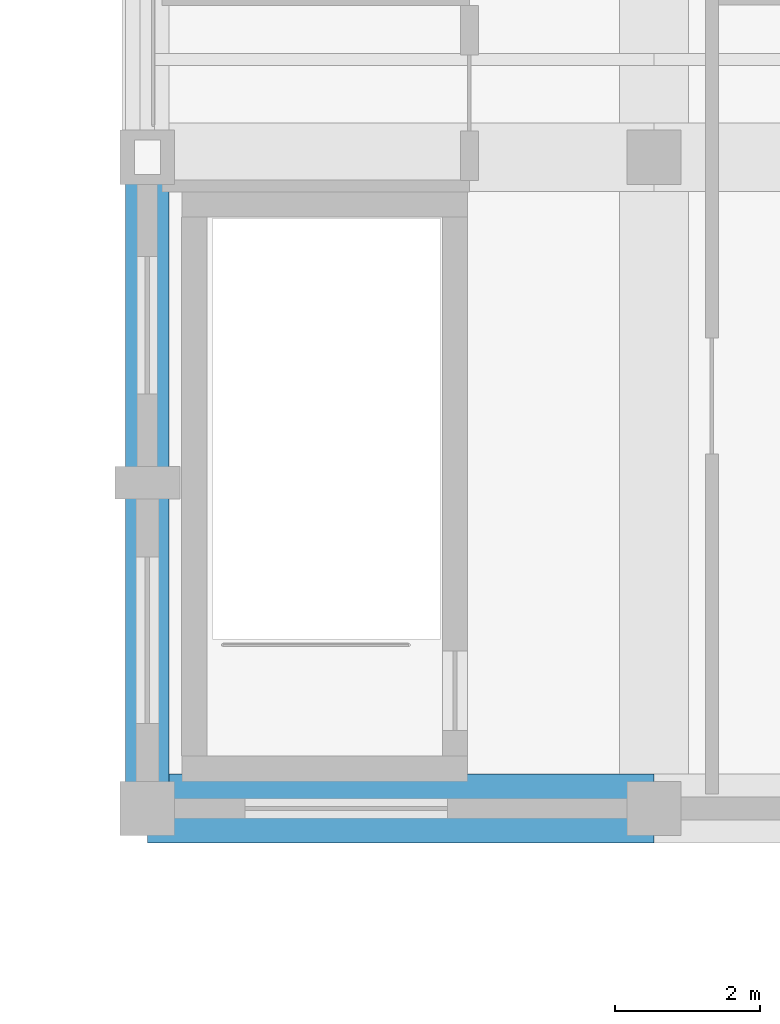
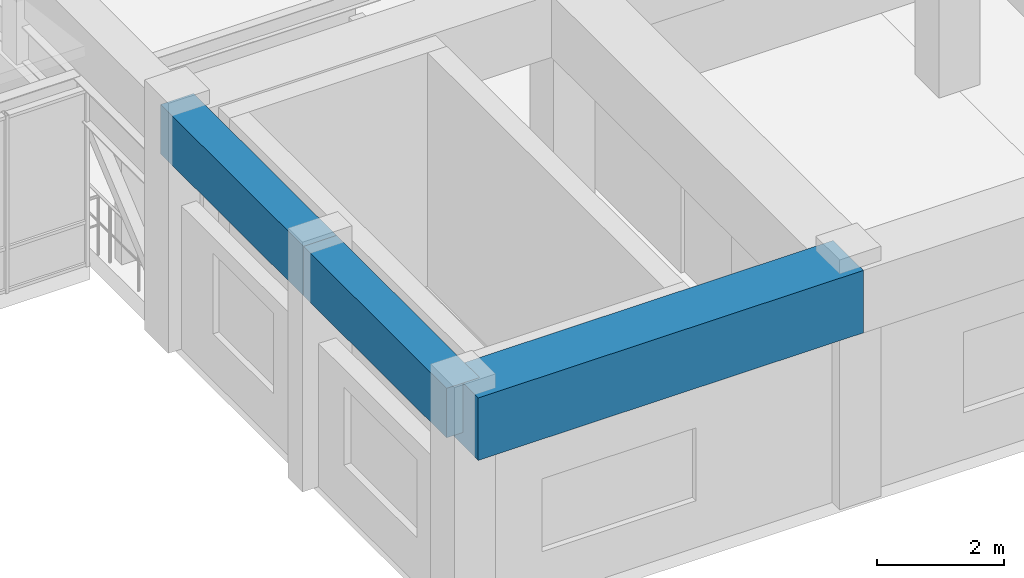
# One storey, part 41 of 99: 3 beams.
"""IFC4 building model written with IfcOpenShell, lengths in metres."""

import ifcopenshell
import ifcopenshell.guid

model = None  # the IFC model being written
_history = None  # IfcOwnerHistory: only IFC2X3 demands one
_inside = {}  # id of a spatial element -> (the spatial element, [elements in it])
_under = {}  # id of a project, library or spatial element -> (it, [spatial elements below it])
_declared = {}  # id of a project -> (the project, [libraries it declares])
_typed = {}  # id of a type object -> (the type object, [elements of that type])
_made_of = {}  # id of a material, layer set ... -> (it, [elements and type objects made of it])


def new_model(schema):
    """Start an empty IFC model of exactly this schema.

    Asked for "IFC4X3", IfcOpenShell would pick the latest addendum, in which some entities
    have other attributes; the version numbers below select the first issue.
    IFC2X3 requires an IfcOwnerHistory on every rooted entity: one is made here for all.
    """
    global model, _history
    if schema == "IFC4X3":
        model = ifcopenshell.file(schema_version=(4, 3, 0, 0))
    else:
        model = ifcopenshell.file(schema=schema)
    _inside.clear()
    _under.clear()
    _declared.clear()
    _typed.clear()
    _made_of.clear()
    _history = None
    if model.schema == "IFC2X3":
        org = make("IfcOrganization", Name="unknown")
        user = make(
            "IfcPersonAndOrganization",
            ThePerson=make("IfcPerson", FamilyName="unknown"),
            TheOrganization=org,
        )
        app = make(
            "IfcApplication",
            ApplicationDeveloper=org,
            Version="unknown",
            ApplicationFullName="unknown",
            ApplicationIdentifier="unknown",
        )
        _history = make(
            "IfcOwnerHistory",
            OwningUser=user,
            OwningApplication=app,
            ChangeAction="ADDED",
            CreationDate=0,
        )
    return model


def make(cls, **values):
    """One entity of the class cls with the attributes given. An attribute that is None is left unset."""
    return model.create_entity(
        cls, **{name: value for name, value in values.items() if value is not None}
    )


def rooted(cls, **values):
    """An entity with a GlobalId (a new one), such as an element, a storey or a relation."""
    return make(cls, GlobalId=ifcopenshell.guid.new(), OwnerHistory=_history, **values)


def si_unit(unit_type, name, prefix=None):
    """IfcSIUnit, for example si_unit("LENGTHUNIT", "METRE", prefix="MILLI")."""
    return make("IfcSIUnit", UnitType=unit_type, Prefix=prefix, Name=name)


def assignment(units):
    """IfcUnitAssignment: the units of a project."""
    return None if units is None else make("IfcUnitAssignment", Units=units)


def point(xyz):
    """IfcCartesianPoint."""
    return None if xyz is None else make("IfcCartesianPoint", Coordinates=xyz)


def direction(xyz):
    """IfcDirection."""
    return None if xyz is None else make("IfcDirection", DirectionRatios=xyz)


def frame(location, z_axis=None, x_axis=None):
    """IfcAxis2Placement3D, a coordinate frame: its origin and axes. An axis left out is left unset."""
    return make(
        "IfcAxis2Placement3D",
        Location=point(location),
        Axis=direction(z_axis),
        RefDirection=direction(x_axis),
    )


def frame_2d(location, x_axis=None):
    """IfcAxis2Placement2D, a coordinate frame in the plane: its origin and x axis."""
    return make(
        "IfcAxis2Placement2D", Location=point(location), RefDirection=direction(x_axis)
    )


def origin():
    """The frame at (0, 0, 0) with its axes left unset."""
    return frame((0.0, 0.0, 0.0))


def origin_2d():
    """The frame at (0, 0) in the plane with its x axis left unset."""
    return frame_2d((0.0, 0.0))


def place(relative_to, where):
    """IfcLocalPlacement: puts the frame where relative to a parent placement (None: the world)."""
    return make(
        "IfcLocalPlacement", PlacementRelTo=relative_to, RelativePlacement=where
    )


def context(
    kind, dimensions, precision=None, world=None, true_north=None, identifier=None
):
    """IfcGeometricRepresentationContext, for example the 3D "Model" context."""
    return make(
        "IfcGeometricRepresentationContext",
        ContextIdentifier=identifier,
        ContextType=kind,
        CoordinateSpaceDimension=dimensions,
        Precision=precision,
        WorldCoordinateSystem=world,
        TrueNorth=true_north,
    )


def subcontext(parent, identifier, kind, view, scale=None):
    """IfcGeometricRepresentationSubContext, for example "Body" below "Model"."""
    return make(
        "IfcGeometricRepresentationSubContext",
        ContextIdentifier=identifier,
        ContextType=kind,
        ParentContext=parent,
        TargetScale=scale,
        TargetView=view,
    )


def project(units=None, contexts=None):
    """IfcProject with its units and contexts."""
    return rooted(
        "IfcProject",
        Name="project",
        RepresentationContexts=contexts,
        UnitsInContext=assignment(units),
    )


def spatial(cls, under=None, at=None, **own):
    """A site, building, storey or space (cls), placed at a placement, below another one or the project."""
    s = rooted(cls, ObjectPlacement=at, **own)
    if under is not None:
        _under.setdefault(under.id(), (under, []))[1].append(s)
    return s


def profile(cls, at=None, kind="AREA", **sizes):
    """A parametric profile (cls). Its sizes go by their IFC names, for example OverallWidth=200.0."""
    return make(cls, ProfileType=kind, Position=at, **sizes)


def rectangle(**sizes):
    """IfcRectangleProfileDef."""
    return profile("IfcRectangleProfileDef", **sizes)


def extrude(swept, where, along, depth):
    """IfcExtrudedAreaSolid: the profile swept, set in the frame where, extruded along a direction by depth."""
    return make(
        "IfcExtrudedAreaSolid",
        SweptArea=swept,
        Position=where,
        ExtrudedDirection=direction(along),
        Depth=depth,
    )


def shape(context_of_items, identifier, shape_type, items):
    """IfcShapeRepresentation: the items that make up one representation, for example the "Body"."""
    return make(
        "IfcShapeRepresentation",
        ContextOfItems=context_of_items,
        RepresentationIdentifier=identifier,
        RepresentationType=shape_type,
        Items=items,
    )


def material(Name=None, Category=None):
    """IfcMaterial."""
    return make("IfcMaterial", Name=Name, Category=Category)


def material_profile(
    of_material, cross_section, Name=None, Category=None, Priority=None
):
    """IfcMaterialProfile: a cross section and its material."""
    return make(
        "IfcMaterialProfile",
        Name=Name,
        Material=of_material,
        Profile=cross_section,
        Priority=Priority,
        Category=Category,
    )


def profile_set(profiles, Name=None, composite=None):
    """IfcMaterialProfileSet."""
    return make(
        "IfcMaterialProfileSet",
        Name=Name,
        MaterialProfiles=profiles,
        CompositeProfile=composite,
    )


def made_of(thing, what):
    """Note that an element or type object is made of a material, layer set ...; save() writes the relation."""
    if what is not None:
        _made_of.setdefault(what.id(), (what, []))[1].append(thing)
    return thing


def type_object(cls, material=None, **own):
    """A type object (cls), such as IfcWallType, which elements share."""
    return made_of(rooted(cls, **own), material)


def element(
    cls,
    number,
    at=None,
    inside=None,
    cuts=None,
    type_object=None,
    material=None,
    context=None,
    identifier="Body",
    shape_type=None,
    held_by="IfcProductDefinitionShape",
    body=None,
    shapes=None,
    **own,
):
    """One element of the class cls, such as IfcWall. Its Tag is "e" and its number.

    at: its placement. inside: the storey or other place that contains it. cuts: it is an
    opening in that element (IfcRelVoidsElement). A single representation is given by context,
    identifier, shape_type and body (its items); several are given by shapes. held_by: the class
    of the entity that holds the representations. save() writes the other relations.
    """
    e = rooted(cls, Tag="e%d" % number, ObjectPlacement=at, **own)
    if body is not None:
        shapes = [shape(context, identifier, shape_type, body)]
    if shapes is not None:
        e.Representation = make(held_by, Representations=shapes)
    if inside is not None:
        _inside.setdefault(inside.id(), (inside, []))[1].append(e)
    if cuts is not None:
        rooted(
            "IfcRelVoidsElement", RelatingBuildingElement=cuts, RelatedOpeningElement=e
        )
    if type_object is not None:
        _typed.setdefault(type_object.id(), (type_object, []))[1].append(e)
    return made_of(e, material)


def aggregate(whole, parts):
    """IfcRelAggregates: a whole, such as a stair, and the parts it consists of."""
    return rooted("IfcRelAggregates", RelatingObject=whole, RelatedObjects=parts)


def save(model, path):
    """Write the relations noted so far, then the file.

    IfcRelAggregates (storeys below a building ...), IfcRelContainedInSpatialStructure (elements
    in a storey), IfcRelDefinesByType, IfcRelAssociatesMaterial and IfcRelDeclares: one each for
    every whole, place, type object, material and project.
    """
    for whole, parts in _under.values():
        aggregate(whole, parts)
    for where, things in _inside.values():
        rooted(
            "IfcRelContainedInSpatialStructure",
            RelatedElements=things,
            RelatingStructure=where,
        )
    for kind, things in _typed.values():
        rooted("IfcRelDefinesByType", RelatedObjects=things, RelatingType=kind)
    for what, things in _made_of.values():
        rooted("IfcRelAssociatesMaterial", RelatedObjects=things, RelatingMaterial=what)
    for by, libraries in _declared.values():
        rooted("IfcRelDeclares", RelatingContext=by, RelatedDefinitions=libraries)
    model.write(path)


model = new_model("IFC4")

# Units and contexts
model_context = context("Model", 3, precision=1e-05, world=origin(), true_north=direction((0.0, 1.0)))
body_context = subcontext(model_context, "Body", "Model", "MODEL_VIEW")
ifc_project = project(units=[si_unit("LENGTHUNIT", "METRE"), si_unit("AREAUNIT", "SQUARE_METRE"), si_unit("VOLUMEUNIT", "CUBIC_METRE"), si_unit("PLANEANGLEUNIT", "RADIAN"), si_unit("MASSUNIT", "GRAM", prefix="KILO")], contexts=[model_context])

# Site, building, storey
site_placement = place(None, origin())
site = spatial("IfcSite", under=ifc_project, at=site_placement, CompositionType="ELEMENT")
building_placement = place(site_placement, origin())
building = spatial("IfcBuilding", under=site, at=building_placement, Name="Ventoquebrada Cableway Terminal", CompositionType="ELEMENT")
storey_placement = place(building_placement, frame((0.0, 0.0, 9.60009765625)))
storey = spatial("IfcBuildingStorey", under=building, at=storey_placement, Name="L02", CompositionType="ELEMENT", Elevation=9.60009765625)

# Beams
ifc_material = material(Name="Concrete C40/50", Category="concrete")
ifc_material_profile_1 = material_profile(ifc_material, rectangle(XDim=0.60009765625, YDim=0.949951171875, at=origin_2d()), Name="RC-BM-600X950")
ifc_profile_set_1 = profile_set([ifc_material_profile_1], Name="Concrete C40/50")
beam_type_1 = type_object("IfcBeamType", Name="BM-RC05", PredefinedType="BEAM", material=ifc_profile_set_1)
for number, where, z_axis, x_axis, name in (
    (1, (95.0, 77.0, 4.054931640625), (0.0, 1.0, 0.0), (-1.0, 0.0, 0.0), "Perimeter spandrel beam FBM-0680"),
    (2, (95.0, 81.5, 4.054931640625), (0.0, 1.0, 0.0), (-1.0, 0.0, 0.0), "Perimeter spandrel beam FBM-0681"),
):
    element("IfcBeam", number, at=place(storey_placement, frame(where, z_axis=z_axis, x_axis=x_axis)), inside=storey, type_object=beam_type_1, Name=name, PredefinedType="BEAM", context=body_context, shape_type="SweptSolid", body=[
        extrude(rectangle(XDim=0.60009765625, YDim=0.949951171875, at=origin_2d()), origin(), (0.0, 0.0, 1.0), 4.5),
    ])
ifc_material_profile_2 = material_profile(ifc_material, rectangle(XDim=0.949951171875, YDim=1.199951171875, at=origin_2d()), Name="RC-BM-950X1200")
ifc_profile_set_2 = profile_set([ifc_material_profile_2], Name="Concrete C40/50")
beam_type_2 = type_object("IfcBeamType", Name="BM-RC06", PredefinedType="BEAM", material=ifc_profile_set_2)
beam_placement = place(storey_placement, frame((95.0, 77.0, 3.929931640625), z_axis=(1.0, 0.0, 0.0), x_axis=(0.0, 1.0, 0.0)))
element("IfcBeam", 3, at=beam_placement, inside=storey, type_object=beam_type_2, Name="Primary frame girder FBM-0664", PredefinedType="BEAM", context=body_context, shape_type="SweptSolid", body=[
    extrude(rectangle(XDim=0.949951171875, YDim=1.199951171875, at=origin_2d()), origin(), (0.0, 0.0, 1.0), 7.0),
])

save(model, "model.ifc")
